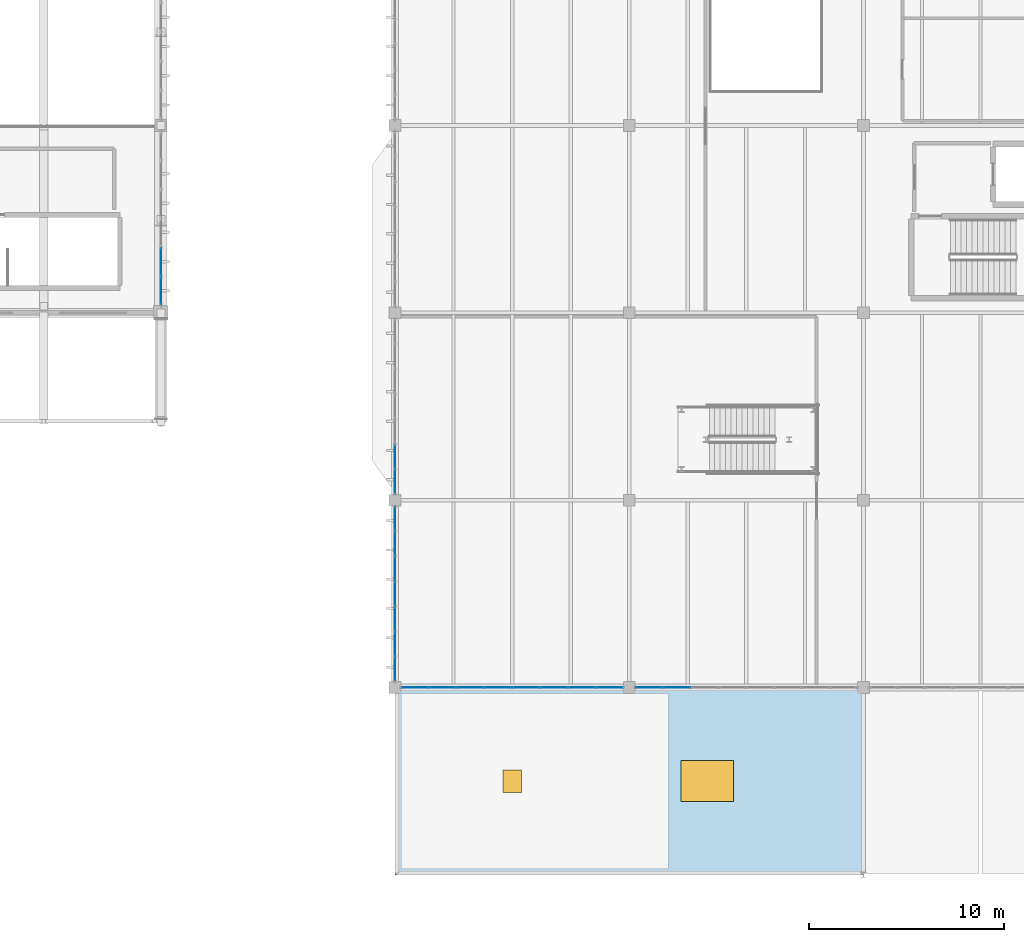
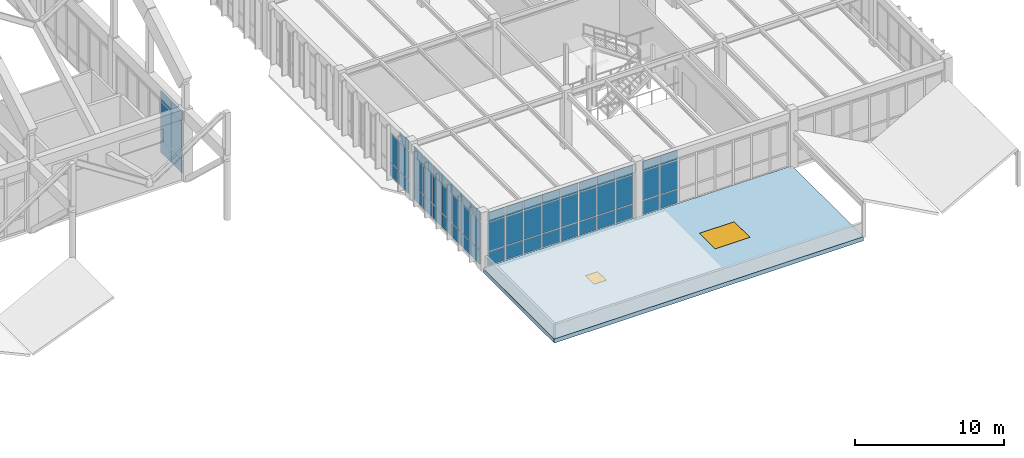
# One storey, part 199 of 236: 62 plates, 1 door, 1 slab, 1 window, 2 openings, 5 elements without a shape of their own.
"""IFC4 building model written with IfcOpenShell, lengths in metres."""

from ifc_helpers import new_model, si_unit, direction, frame, origin, origin_2d, place, context, subcontext, project, spatial, polyline, rectangle, outline, extrude, material, layer, layer_set, type_object, element, fill, aggregate, save


model = new_model("IFC4")

# Units and contexts
model_context = context("Model", 3, precision=1e-05, world=origin(), true_north=direction((0.0, 1.0)))
body_context = subcontext(model_context, "Body", "Model", "MODEL_VIEW")
ifc_project = project(units=[si_unit("LENGTHUNIT", "METRE"), si_unit("AREAUNIT", "SQUARE_METRE"), si_unit("VOLUMEUNIT", "CUBIC_METRE"), si_unit("PLANEANGLEUNIT", "RADIAN"), si_unit("MASSUNIT", "GRAM", prefix="KILO")], contexts=[model_context])

# Site, building, storey
site_placement = place(None, origin())
site = spatial("IfcSite", under=ifc_project, at=site_placement, CompositionType="ELEMENT")
building_placement = place(site_placement, origin())
building = spatial("IfcBuilding", under=site, at=building_placement, Name="Pandanus Reach Market Hall", CompositionType="ELEMENT")
storey_placement = place(building_placement, frame((0.0, 0.0, 5.39990234375)))
storey = spatial("IfcBuildingStorey", under=building, at=storey_placement, Name="L01", CompositionType="ELEMENT", Elevation=5.39990234375)

# Curtain wall, plates
ifc_material_1 = material(Name="Bronze anodised aluminium and low-E glass", Category="aluminium")
ifc_layer_1 = layer(ifc_material_1, 0.159912109375, Name="CW-27")
ifc_layer_set_1 = layer_set([ifc_layer_1], Name="Bronze anodised aluminium and low-E glass")
curtain_wall_type_1 = type_object("IfcCurtainWallType", Name="CW-27", PredefinedType="NOTDEFINED", material=ifc_layer_set_1)
curtain_wall_1_placement = place(storey_placement, origin())
curtain_wall_1 = element("IfcCurtainWall", 1, at=curtain_wall_1_placement, inside=storey, type_object=curtain_wall_type_1, Name="Glazed curtain wall CW-27 CW-0082", PredefinedType="NOTDEFINED")
ifc_material_2 = material(Name="Solar-control double glazing", Category="glass")
ifc_layer_2 = layer(ifc_material_2, 0.028076171875, Name="CW-P1")
ifc_layer_set_2 = layer_set([ifc_layer_2], Name="Solar-control double glazing")
plate_type_1 = type_object("IfcPlateType", Name="CW-P1", PredefinedType="CURTAIN_PANEL", material=ifc_layer_set_2)
plate_1_placement = place(storey_placement, frame((145.02880859375, 9.60009765625, 0.065185546875), z_axis=(0.0, 0.0, 1.0), x_axis=(1.0, 0.0, 0.0)))
plate_1 = element("IfcPlate", 2, at=plate_1_placement, type_object=plate_type_1, Name="CW-27 panel 1.1", PredefinedType="CURTAIN_PANEL", context=body_context, shape_type="SweptSolid", body=[
    extrude(rectangle(XDim=1.327392578125, YDim=0.028076171875, at=origin_2d()), origin(), (0.0, 0.0, 1.0), 1.1025390625),
])
plate_2_placement = place(storey_placement, frame((145.02880859375, 9.60009765625, 1.232666015625), z_axis=(0.0, 0.0, 1.0), x_axis=(1.0, 0.0, 0.0)))
plate_2 = element("IfcPlate", 3, at=plate_2_placement, type_object=plate_type_1, Name="CW-27 panel 1.2", PredefinedType="CURTAIN_PANEL", context=body_context, shape_type="SweptSolid", body=[
    extrude(rectangle(XDim=1.327392578125, YDim=0.028076171875, at=origin_2d()), origin(), (0.0, 0.0, 1.0), 2.3349609375),
])
plate_3_placement = place(storey_placement, frame((145.02880859375, 9.60009765625, 3.6328125), z_axis=(0.0, 0.0, 1.0), x_axis=(1.0, 0.0, 0.0)))
plate_3 = element("IfcPlate", 4, at=plate_3_placement, type_object=plate_type_1, Name="CW-27 panel 1.3", PredefinedType="CURTAIN_PANEL", context=body_context, shape_type="SweptSolid", body=[
    extrude(rectangle(XDim=1.327392578125, YDim=0.028076171875, at=origin_2d()), origin(), (0.0, 0.0, 1.0), 0.802490234375),
])
plate_4_placement = place(storey_placement, frame((146.4375, 9.60009765625, 0.065185546875), z_axis=(0.0, 0.0, 1.0), x_axis=(1.0, 0.0, 0.0)))
plate_4 = element("IfcPlate", 5, at=plate_4_placement, type_object=plate_type_1, Name="CW-27 panel 2.1", PredefinedType="CURTAIN_PANEL", context=body_context, shape_type="SweptSolid", body=[
    extrude(rectangle(XDim=1.360107421875, YDim=0.028076171875, at=origin_2d()), origin(), (0.0, 0.0, 1.0), 1.1025390625),
])
plate_5_placement = place(storey_placement, frame((146.4375, 9.60009765625, 1.232666015625), z_axis=(0.0, 0.0, 1.0), x_axis=(1.0, 0.0, 0.0)))
plate_5 = element("IfcPlate", 6, at=plate_5_placement, type_object=plate_type_1, Name="CW-27 panel 2.2", PredefinedType="CURTAIN_PANEL", context=body_context, shape_type="SweptSolid", body=[
    extrude(rectangle(XDim=1.360107421875, YDim=0.028076171875, at=origin_2d()), origin(), (0.0, 0.0, 1.0), 2.3349609375),
])
plate_6_placement = place(storey_placement, frame((146.4375, 9.60009765625, 3.6328125), z_axis=(0.0, 0.0, 1.0), x_axis=(1.0, 0.0, 0.0)))
plate_6 = element("IfcPlate", 7, at=plate_6_placement, type_object=plate_type_1, Name="CW-27 panel 2.3", PredefinedType="CURTAIN_PANEL", context=body_context, shape_type="SweptSolid", body=[
    extrude(rectangle(XDim=1.360107421875, YDim=0.028076171875, at=origin_2d()), origin(), (0.0, 0.0, 1.0), 0.802490234375),
])
plate_7_placement = place(storey_placement, frame((147.862548828125, 9.60009765625, 0.065185546875), z_axis=(0.0, 0.0, 1.0), x_axis=(1.0, 0.0, 0.0)))
plate_7 = element("IfcPlate", 8, at=plate_7_placement, type_object=plate_type_1, Name="CW-27 panel 3.1", PredefinedType="CURTAIN_PANEL", context=body_context, shape_type="SweptSolid", body=[
    extrude(rectangle(XDim=1.360107421875, YDim=0.028076171875, at=origin_2d()), origin(), (0.0, 0.0, 1.0), 1.1025390625),
])
plate_8_placement = place(storey_placement, frame((147.862548828125, 9.60009765625, 1.232666015625), z_axis=(0.0, 0.0, 1.0), x_axis=(1.0, 0.0, 0.0)))
plate_8 = element("IfcPlate", 9, at=plate_8_placement, type_object=plate_type_1, Name="CW-27 panel 3.2", PredefinedType="CURTAIN_PANEL", context=body_context, shape_type="SweptSolid", body=[
    extrude(rectangle(XDim=1.360107421875, YDim=0.028076171875, at=origin_2d()), origin(), (0.0, 0.0, 1.0), 2.3349609375),
])
plate_9_placement = place(storey_placement, frame((147.862548828125, 9.60009765625, 3.6328125), z_axis=(0.0, 0.0, 1.0), x_axis=(1.0, 0.0, 0.0)))
plate_9 = element("IfcPlate", 10, at=plate_9_placement, type_object=plate_type_1, Name="CW-27 panel 3.3", PredefinedType="CURTAIN_PANEL", context=body_context, shape_type="SweptSolid", body=[
    extrude(rectangle(XDim=1.360107421875, YDim=0.028076171875, at=origin_2d()), origin(), (0.0, 0.0, 1.0), 0.802490234375),
])
plate_10_placement = place(storey_placement, frame((149.28759765625, 9.60009765625, 0.065185546875), z_axis=(0.0, 0.0, 1.0), x_axis=(1.0, 0.0, 0.0)))
plate_10 = element("IfcPlate", 11, at=plate_10_placement, type_object=plate_type_1, Name="CW-27 panel 4.1", PredefinedType="CURTAIN_PANEL", context=body_context, shape_type="SweptSolid", body=[
    extrude(rectangle(XDim=1.360107421875, YDim=0.028076171875, at=origin_2d()), origin(), (0.0, 0.0, 1.0), 1.1025390625),
])
plate_11_placement = place(storey_placement, frame((149.28759765625, 9.60009765625, 1.232666015625), z_axis=(0.0, 0.0, 1.0), x_axis=(1.0, 0.0, 0.0)))
plate_11 = element("IfcPlate", 12, at=plate_11_placement, type_object=plate_type_1, Name="CW-27 panel 4.2", PredefinedType="CURTAIN_PANEL", context=body_context, shape_type="SweptSolid", body=[
    extrude(rectangle(XDim=1.360107421875, YDim=0.028076171875, at=origin_2d()), origin(), (0.0, 0.0, 1.0), 2.3349609375),
])
plate_12_placement = place(storey_placement, frame((149.28759765625, 9.60009765625, 3.6328125), z_axis=(0.0, 0.0, 1.0), x_axis=(1.0, 0.0, 0.0)))
plate_12 = element("IfcPlate", 13, at=plate_12_placement, type_object=plate_type_1, Name="CW-27 panel 4.3", PredefinedType="CURTAIN_PANEL", context=body_context, shape_type="SweptSolid", body=[
    extrude(rectangle(XDim=1.360107421875, YDim=0.028076171875, at=origin_2d()), origin(), (0.0, 0.0, 1.0), 0.802490234375),
])
plate_13_placement = place(storey_placement, frame((150.71240234375, 9.60009765625, 0.065185546875), z_axis=(0.0, 0.0, 1.0), x_axis=(1.0, 0.0, 0.0)))
plate_13 = element("IfcPlate", 14, at=plate_13_placement, type_object=plate_type_1, Name="CW-27 panel 5.1", PredefinedType="CURTAIN_PANEL", context=body_context, shape_type="SweptSolid", body=[
    extrude(rectangle(XDim=1.360107421875, YDim=0.028076171875, at=origin_2d()), origin(), (0.0, 0.0, 1.0), 1.1025390625),
])
plate_14_placement = place(storey_placement, frame((150.71240234375, 9.60009765625, 1.232666015625), z_axis=(0.0, 0.0, 1.0), x_axis=(1.0, 0.0, 0.0)))
plate_14 = element("IfcPlate", 15, at=plate_14_placement, type_object=plate_type_1, Name="CW-27 panel 5.2", PredefinedType="CURTAIN_PANEL", context=body_context, shape_type="SweptSolid", body=[
    extrude(rectangle(XDim=1.360107421875, YDim=0.028076171875, at=origin_2d()), origin(), (0.0, 0.0, 1.0), 2.3349609375),
])
plate_15_placement = place(storey_placement, frame((150.71240234375, 9.60009765625, 3.6328125), z_axis=(0.0, 0.0, 1.0), x_axis=(1.0, 0.0, 0.0)))
plate_15 = element("IfcPlate", 16, at=plate_15_placement, type_object=plate_type_1, Name="CW-27 panel 5.3", PredefinedType="CURTAIN_PANEL", context=body_context, shape_type="SweptSolid", body=[
    extrude(rectangle(XDim=1.360107421875, YDim=0.028076171875, at=origin_2d()), origin(), (0.0, 0.0, 1.0), 0.802490234375),
])
plate_16_placement = place(storey_placement, frame((152.137451171875, 9.60009765625, 0.065185546875), z_axis=(0.0, 0.0, 1.0), x_axis=(1.0, 0.0, 0.0)))
plate_16 = element("IfcPlate", 17, at=plate_16_placement, type_object=plate_type_1, Name="CW-27 panel 6.1", PredefinedType="CURTAIN_PANEL", context=body_context, shape_type="SweptSolid", body=[
    extrude(rectangle(XDim=1.360107421875, YDim=0.028076171875, at=origin_2d()), origin(), (0.0, 0.0, 1.0), 1.1025390625),
])
plate_17_placement = place(storey_placement, frame((152.137451171875, 9.60009765625, 1.232666015625), z_axis=(0.0, 0.0, 1.0), x_axis=(1.0, 0.0, 0.0)))
plate_17 = element("IfcPlate", 18, at=plate_17_placement, type_object=plate_type_1, Name="CW-27 panel 6.2", PredefinedType="CURTAIN_PANEL", context=body_context, shape_type="SweptSolid", body=[
    extrude(rectangle(XDim=1.360107421875, YDim=0.028076171875, at=origin_2d()), origin(), (0.0, 0.0, 1.0), 2.3349609375),
])
plate_18_placement = place(storey_placement, frame((152.137451171875, 9.60009765625, 3.6328125), z_axis=(0.0, 0.0, 1.0), x_axis=(1.0, 0.0, 0.0)))
plate_18 = element("IfcPlate", 19, at=plate_18_placement, type_object=plate_type_1, Name="CW-27 panel 6.3", PredefinedType="CURTAIN_PANEL", context=body_context, shape_type="SweptSolid", body=[
    extrude(rectangle(XDim=1.360107421875, YDim=0.028076171875, at=origin_2d()), origin(), (0.0, 0.0, 1.0), 0.802490234375),
])
plate_19_placement = place(storey_placement, frame((153.5625, 9.60009765625, 0.065185546875), z_axis=(0.0, 0.0, 1.0), x_axis=(1.0, 0.0, 0.0)))
plate_19 = element("IfcPlate", 20, at=plate_19_placement, type_object=plate_type_1, Name="CW-27 panel 7.1", PredefinedType="CURTAIN_PANEL", context=body_context, shape_type="SweptSolid", body=[
    extrude(rectangle(XDim=1.360107421875, YDim=0.028076171875, at=origin_2d()), origin(), (0.0, 0.0, 1.0), 1.1025390625),
])
plate_20_placement = place(storey_placement, frame((153.5625, 9.60009765625, 1.232666015625), z_axis=(0.0, 0.0, 1.0), x_axis=(1.0, 0.0, 0.0)))
plate_20 = element("IfcPlate", 21, at=plate_20_placement, type_object=plate_type_1, Name="CW-27 panel 7.2", PredefinedType="CURTAIN_PANEL", context=body_context, shape_type="SweptSolid", body=[
    extrude(rectangle(XDim=1.360107421875, YDim=0.028076171875, at=origin_2d()), origin(), (0.0, 0.0, 1.0), 2.3349609375),
])
plate_21_placement = place(storey_placement, frame((153.5625, 9.60009765625, 3.6328125), z_axis=(0.0, 0.0, 1.0), x_axis=(1.0, 0.0, 0.0)))
plate_21 = element("IfcPlate", 22, at=plate_21_placement, type_object=plate_type_1, Name="CW-27 panel 7.3", PredefinedType="CURTAIN_PANEL", context=body_context, shape_type="SweptSolid", body=[
    extrude(rectangle(XDim=1.360107421875, YDim=0.028076171875, at=origin_2d()), origin(), (0.0, 0.0, 1.0), 0.802490234375),
])
plate_22_placement = place(storey_placement, frame((154.97119140625, 9.60009765625, 0.065185546875), z_axis=(0.0, 0.0, 1.0), x_axis=(1.0, 0.0, 0.0)))
plate_22 = element("IfcPlate", 23, at=plate_22_placement, type_object=plate_type_1, Name="CW-27 panel 8.1", PredefinedType="CURTAIN_PANEL", context=body_context, shape_type="SweptSolid", body=[
    extrude(rectangle(XDim=1.327392578125, YDim=0.028076171875, at=origin_2d()), origin(), (0.0, 0.0, 1.0), 1.1025390625),
])
plate_23_placement = place(storey_placement, frame((154.97119140625, 9.60009765625, 1.232666015625), z_axis=(0.0, 0.0, 1.0), x_axis=(1.0, 0.0, 0.0)))
plate_23 = element("IfcPlate", 24, at=plate_23_placement, type_object=plate_type_1, Name="CW-27 panel 8.2", PredefinedType="CURTAIN_PANEL", context=body_context, shape_type="SweptSolid", body=[
    extrude(rectangle(XDim=1.327392578125, YDim=0.028076171875, at=origin_2d()), origin(), (0.0, 0.0, 1.0), 2.3349609375),
])
plate_24_placement = place(storey_placement, frame((154.97119140625, 9.60009765625, 3.6328125), z_axis=(0.0, 0.0, 1.0), x_axis=(1.0, 0.0, 0.0)))
plate_24 = element("IfcPlate", 25, at=plate_24_placement, type_object=plate_type_1, Name="CW-27 panel 8.3", PredefinedType="CURTAIN_PANEL", context=body_context, shape_type="SweptSolid", body=[
    extrude(rectangle(XDim=1.327392578125, YDim=0.028076171875, at=origin_2d()), origin(), (0.0, 0.0, 1.0), 0.802490234375),
])
aggregate(curtain_wall_1, [plate_1, plate_2, plate_3, plate_4, plate_5, plate_6, plate_7, plate_8, plate_9, plate_10, plate_11, plate_12, plate_13, plate_14, plate_15, plate_16, plate_17, plate_18, plate_19, plate_20, plate_21, plate_22, plate_23, plate_24])

curtain_wall_2_placement = place(storey_placement, origin())
curtain_wall_2 = element("IfcCurtainWall", 26, at=curtain_wall_2_placement, inside=storey, type_object=curtain_wall_type_1, Name="Glazed curtain wall CW-27 CW-0083", PredefinedType="NOTDEFINED")
plate_25_placement = place(storey_placement, frame((157.02880859375, 9.60009765625, 0.065185546875), z_axis=(0.0, 0.0, 1.0), x_axis=(1.0, 0.0, 0.0)))
plate_25 = element("IfcPlate", 27, at=plate_25_placement, type_object=plate_type_1, Name="CW-27 panel 1.1", PredefinedType="CURTAIN_PANEL", context=body_context, shape_type="SweptSolid", body=[
    extrude(rectangle(XDim=1.327392578125, YDim=0.028076171875, at=origin_2d()), origin(), (0.0, 0.0, 1.0), 1.1025390625),
])
plate_26_placement = place(storey_placement, frame((157.02880859375, 9.60009765625, 1.232666015625), z_axis=(0.0, 0.0, 1.0), x_axis=(1.0, 0.0, 0.0)))
plate_26 = element("IfcPlate", 28, at=plate_26_placement, type_object=plate_type_1, Name="CW-27 panel 1.2", PredefinedType="CURTAIN_PANEL", context=body_context, shape_type="SweptSolid", body=[
    extrude(rectangle(XDim=1.327392578125, YDim=0.028076171875, at=origin_2d()), origin(), (0.0, 0.0, 1.0), 2.3349609375),
])
plate_27_placement = place(storey_placement, frame((157.02880859375, 9.60009765625, 3.6328125), z_axis=(0.0, 0.0, 1.0), x_axis=(1.0, 0.0, 0.0)))
plate_27 = element("IfcPlate", 29, at=plate_27_placement, type_object=plate_type_1, Name="CW-27 panel 1.3", PredefinedType="CURTAIN_PANEL", context=body_context, shape_type="SweptSolid", body=[
    extrude(rectangle(XDim=1.327392578125, YDim=0.028076171875, at=origin_2d()), origin(), (0.0, 0.0, 1.0), 0.802490234375),
])
plate_28_placement = place(storey_placement, frame((158.4375, 9.60009765625, 0.065185546875), z_axis=(0.0, 0.0, 1.0), x_axis=(1.0, 0.0, 0.0)))
plate_28 = element("IfcPlate", 30, at=plate_28_placement, type_object=plate_type_1, Name="CW-27 panel 2.1", PredefinedType="CURTAIN_PANEL", context=body_context, shape_type="SweptSolid", body=[
    extrude(rectangle(XDim=1.360107421875, YDim=0.028076171875, at=origin_2d()), origin(), (0.0, 0.0, 1.0), 1.1025390625),
])
plate_29_placement = place(storey_placement, frame((158.4375, 9.60009765625, 1.232666015625), z_axis=(0.0, 0.0, 1.0), x_axis=(1.0, 0.0, 0.0)))
plate_29 = element("IfcPlate", 31, at=plate_29_placement, type_object=plate_type_1, Name="CW-27 panel 2.2", PredefinedType="CURTAIN_PANEL", context=body_context, shape_type="SweptSolid", body=[
    extrude(rectangle(XDim=1.360107421875, YDim=0.028076171875, at=origin_2d()), origin(), (0.0, 0.0, 1.0), 2.3349609375),
])
plate_30_placement = place(storey_placement, frame((158.4375, 9.60009765625, 3.6328125), z_axis=(0.0, 0.0, 1.0), x_axis=(1.0, 0.0, 0.0)))
plate_30 = element("IfcPlate", 32, at=plate_30_placement, type_object=plate_type_1, Name="CW-27 panel 2.3", PredefinedType="CURTAIN_PANEL", context=body_context, shape_type="SweptSolid", body=[
    extrude(rectangle(XDim=1.360107421875, YDim=0.028076171875, at=origin_2d()), origin(), (0.0, 0.0, 1.0), 0.802490234375),
])
aggregate(curtain_wall_2, [plate_25, plate_26, plate_27, plate_28, plate_29, plate_30])

ifc_layer_3 = layer(ifc_material_1, 0.159912109375, Name="CW-29")
ifc_layer_set_3 = layer_set([ifc_layer_3], Name="Bronze anodised aluminium and low-E glass")
curtain_wall_type_2 = type_object("IfcCurtainWallType", Name="CW-29", PredefinedType="NOTDEFINED", material=ifc_layer_set_3)
curtain_wall_3_placement = place(storey_placement, origin())
curtain_wall_3 = element("IfcCurtainWall", 33, at=curtain_wall_3_placement, inside=storey, type_object=curtain_wall_type_2, Name="Glazed curtain wall CW-29 CW-0091", PredefinedType="NOTDEFINED")
plate_31_placement = place(storey_placement, frame((144.0, 10.55908203125, 0.065185546875), z_axis=(0.0, 0.0, 1.0), x_axis=(0.0, 1.0, 0.0)))
plate_31 = element("IfcPlate", 34, at=plate_31_placement, type_object=plate_type_1, Name="CW-29 panel 1.1", PredefinedType="CURTAIN_PANEL", context=body_context, shape_type="SweptSolid", body=[
    extrude(rectangle(XDim=1.188232421875, YDim=0.028076171875, at=origin_2d()), origin(), (0.0, 0.0, 1.0), 1.1025390625),
])
plate_32_placement = place(storey_placement, frame((144.0, 10.55908203125, 1.232666015625), z_axis=(0.0, 0.0, 1.0), x_axis=(0.0, 1.0, 0.0)))
plate_32 = element("IfcPlate", 35, at=plate_32_placement, type_object=plate_type_1, Name="CW-29 panel 1.2", PredefinedType="CURTAIN_PANEL", context=body_context, shape_type="SweptSolid", body=[
    extrude(rectangle(XDim=1.188232421875, YDim=0.028076171875, at=origin_2d()), origin(), (0.0, 0.0, 1.0), 2.3349609375),
])
plate_33_placement = place(storey_placement, frame((144.0, 10.55908203125, 3.6328125), z_axis=(0.0, 0.0, 1.0), x_axis=(0.0, 1.0, 0.0)))
plate_33 = element("IfcPlate", 36, at=plate_33_placement, type_object=plate_type_1, Name="CW-29 panel 1.3", PredefinedType="CURTAIN_PANEL", context=body_context, shape_type="SweptSolid", body=[
    extrude(rectangle(XDim=1.188232421875, YDim=0.028076171875, at=origin_2d()), origin(), (0.0, 0.0, 1.0), 0.802490234375),
])
plate_34_placement = place(storey_placement, frame((144.0, 11.82861328125, 0.065185546875), z_axis=(0.0, 0.0, 1.0), x_axis=(0.0, 1.0, 0.0)))
plate_34 = element("IfcPlate", 37, at=plate_34_placement, type_object=plate_type_1, Name="CW-29 panel 2.1", PredefinedType="CURTAIN_PANEL", context=body_context, shape_type="SweptSolid", body=[
    extrude(rectangle(XDim=1.220703125, YDim=0.028076171875, at=origin_2d()), origin(), (0.0, 0.0, 1.0), 1.1025390625),
])
plate_35_placement = place(storey_placement, frame((144.0, 11.82861328125, 1.232666015625), z_axis=(0.0, 0.0, 1.0), x_axis=(0.0, 1.0, 0.0)))
plate_35 = element("IfcPlate", 38, at=plate_35_placement, type_object=plate_type_1, Name="CW-29 panel 2.2", PredefinedType="CURTAIN_PANEL", context=body_context, shape_type="SweptSolid", body=[
    extrude(rectangle(XDim=1.220703125, YDim=0.028076171875, at=origin_2d()), origin(), (0.0, 0.0, 1.0), 2.3349609375),
])
plate_36_placement = place(storey_placement, frame((144.0, 11.82861328125, 3.6328125), z_axis=(0.0, 0.0, 1.0), x_axis=(0.0, 1.0, 0.0)))
plate_36 = element("IfcPlate", 39, at=plate_36_placement, type_object=plate_type_1, Name="CW-29 panel 2.3", PredefinedType="CURTAIN_PANEL", context=body_context, shape_type="SweptSolid", body=[
    extrude(rectangle(XDim=1.220703125, YDim=0.028076171875, at=origin_2d()), origin(), (0.0, 0.0, 1.0), 0.802490234375),
])
plate_37_placement = place(storey_placement, frame((144.0, 13.1142578125, 0.065185546875), z_axis=(0.0, 0.0, 1.0), x_axis=(0.0, 1.0, 0.0)))
plate_37 = element("IfcPlate", 40, at=plate_37_placement, type_object=plate_type_1, Name="CW-29 panel 3.1", PredefinedType="CURTAIN_PANEL", context=body_context, shape_type="SweptSolid", body=[
    extrude(rectangle(XDim=1.220703125, YDim=0.028076171875, at=origin_2d()), origin(), (0.0, 0.0, 1.0), 1.1025390625),
])
plate_38_placement = place(storey_placement, frame((144.0, 13.1142578125, 1.232666015625), z_axis=(0.0, 0.0, 1.0), x_axis=(0.0, 1.0, 0.0)))
plate_38 = element("IfcPlate", 41, at=plate_38_placement, type_object=plate_type_1, Name="CW-29 panel 3.2", PredefinedType="CURTAIN_PANEL", context=body_context, shape_type="SweptSolid", body=[
    extrude(rectangle(XDim=1.220703125, YDim=0.028076171875, at=origin_2d()), origin(), (0.0, 0.0, 1.0), 2.3349609375),
])
plate_39_placement = place(storey_placement, frame((144.0, 13.1142578125, 3.6328125), z_axis=(0.0, 0.0, 1.0), x_axis=(0.0, 1.0, 0.0)))
plate_39 = element("IfcPlate", 42, at=plate_39_placement, type_object=plate_type_1, Name="CW-29 panel 3.3", PredefinedType="CURTAIN_PANEL", context=body_context, shape_type="SweptSolid", body=[
    extrude(rectangle(XDim=1.220703125, YDim=0.028076171875, at=origin_2d()), origin(), (0.0, 0.0, 1.0), 0.802490234375),
])
plate_40_placement = place(storey_placement, frame((144.0, 14.39990234375, 0.065185546875), z_axis=(0.0, 0.0, 1.0), x_axis=(0.0, 1.0, 0.0)))
plate_40 = element("IfcPlate", 43, at=plate_40_placement, type_object=plate_type_1, Name="CW-29 panel 4.1", PredefinedType="CURTAIN_PANEL", context=body_context, shape_type="SweptSolid", body=[
    extrude(rectangle(XDim=1.220703125, YDim=0.028076171875, at=origin_2d()), origin(), (0.0, 0.0, 1.0), 1.1025390625),
])
plate_41_placement = place(storey_placement, frame((144.0, 14.39990234375, 1.232666015625), z_axis=(0.0, 0.0, 1.0), x_axis=(0.0, 1.0, 0.0)))
plate_41 = element("IfcPlate", 44, at=plate_41_placement, type_object=plate_type_1, Name="CW-29 panel 4.2", PredefinedType="CURTAIN_PANEL", context=body_context, shape_type="SweptSolid", body=[
    extrude(rectangle(XDim=1.220703125, YDim=0.028076171875, at=origin_2d()), origin(), (0.0, 0.0, 1.0), 2.3349609375),
])
plate_42_placement = place(storey_placement, frame((144.0, 14.39990234375, 3.6328125), z_axis=(0.0, 0.0, 1.0), x_axis=(0.0, 1.0, 0.0)))
plate_42 = element("IfcPlate", 45, at=plate_42_placement, type_object=plate_type_1, Name="CW-29 panel 4.3", PredefinedType="CURTAIN_PANEL", context=body_context, shape_type="SweptSolid", body=[
    extrude(rectangle(XDim=1.220703125, YDim=0.028076171875, at=origin_2d()), origin(), (0.0, 0.0, 1.0), 0.802490234375),
])
plate_43_placement = place(storey_placement, frame((144.0, 15.685791015625, 0.065185546875), z_axis=(0.0, 0.0, 1.0), x_axis=(0.0, 1.0, 0.0)))
plate_43 = element("IfcPlate", 46, at=plate_43_placement, type_object=plate_type_1, Name="CW-29 panel 5.1", PredefinedType="CURTAIN_PANEL", context=body_context, shape_type="SweptSolid", body=[
    extrude(rectangle(XDim=1.220703125, YDim=0.028076171875, at=origin_2d()), origin(), (0.0, 0.0, 1.0), 1.1025390625),
])
plate_44_placement = place(storey_placement, frame((144.0, 15.685791015625, 1.232666015625), z_axis=(0.0, 0.0, 1.0), x_axis=(0.0, 1.0, 0.0)))
plate_44 = element("IfcPlate", 47, at=plate_44_placement, type_object=plate_type_1, Name="CW-29 panel 5.2", PredefinedType="CURTAIN_PANEL", context=body_context, shape_type="SweptSolid", body=[
    extrude(rectangle(XDim=1.220703125, YDim=0.028076171875, at=origin_2d()), origin(), (0.0, 0.0, 1.0), 2.3349609375),
])
plate_45_placement = place(storey_placement, frame((144.0, 15.685791015625, 3.6328125), z_axis=(0.0, 0.0, 1.0), x_axis=(0.0, 1.0, 0.0)))
plate_45 = element("IfcPlate", 48, at=plate_45_placement, type_object=plate_type_1, Name="CW-29 panel 5.3", PredefinedType="CURTAIN_PANEL", context=body_context, shape_type="SweptSolid", body=[
    extrude(rectangle(XDim=1.220703125, YDim=0.028076171875, at=origin_2d()), origin(), (0.0, 0.0, 1.0), 0.802490234375),
])
plate_46_placement = place(storey_placement, frame((144.0, 16.971435546875, 0.065185546875), z_axis=(0.0, 0.0, 1.0), x_axis=(0.0, 1.0, 0.0)))
plate_46 = element("IfcPlate", 49, at=plate_46_placement, type_object=plate_type_1, Name="CW-29 panel 6.1", PredefinedType="CURTAIN_PANEL", context=body_context, shape_type="SweptSolid", body=[
    extrude(rectangle(XDim=1.220703125, YDim=0.028076171875, at=origin_2d()), origin(), (0.0, 0.0, 1.0), 1.1025390625),
])
plate_47_placement = place(storey_placement, frame((144.0, 16.971435546875, 1.232666015625), z_axis=(0.0, 0.0, 1.0), x_axis=(0.0, 1.0, 0.0)))
plate_47 = element("IfcPlate", 50, at=plate_47_placement, type_object=plate_type_1, Name="CW-29 panel 6.2", PredefinedType="CURTAIN_PANEL", context=body_context, shape_type="SweptSolid", body=[
    extrude(rectangle(XDim=1.220703125, YDim=0.028076171875, at=origin_2d()), origin(), (0.0, 0.0, 1.0), 2.3349609375),
])
plate_48_placement = place(storey_placement, frame((144.0, 16.971435546875, 3.6328125), z_axis=(0.0, 0.0, 1.0), x_axis=(0.0, 1.0, 0.0)))
plate_48 = element("IfcPlate", 51, at=plate_48_placement, type_object=plate_type_1, Name="CW-29 panel 6.3", PredefinedType="CURTAIN_PANEL", context=body_context, shape_type="SweptSolid", body=[
    extrude(rectangle(XDim=1.220703125, YDim=0.028076171875, at=origin_2d()), origin(), (0.0, 0.0, 1.0), 0.802490234375),
])
plate_49_placement = place(storey_placement, frame((144.0, 18.240966796875, 0.065185546875), z_axis=(0.0, 0.0, 1.0), x_axis=(0.0, 1.0, 0.0)))
plate_49 = element("IfcPlate", 52, at=plate_49_placement, type_object=plate_type_1, Name="CW-29 panel 7.1", PredefinedType="CURTAIN_PANEL", context=body_context, shape_type="SweptSolid", body=[
    extrude(rectangle(XDim=1.188232421875, YDim=0.028076171875, at=origin_2d()), origin(), (0.0, 0.0, 1.0), 1.1025390625),
])
plate_50_placement = place(storey_placement, frame((144.0, 18.240966796875, 1.232666015625), z_axis=(0.0, 0.0, 1.0), x_axis=(0.0, 1.0, 0.0)))
plate_50 = element("IfcPlate", 53, at=plate_50_placement, type_object=plate_type_1, Name="CW-29 panel 7.2", PredefinedType="CURTAIN_PANEL", context=body_context, shape_type="SweptSolid", body=[
    extrude(rectangle(XDim=1.188232421875, YDim=0.028076171875, at=origin_2d()), origin(), (0.0, 0.0, 1.0), 2.3349609375),
])
plate_51_placement = place(storey_placement, frame((144.0, 18.240966796875, 3.6328125), z_axis=(0.0, 0.0, 1.0), x_axis=(0.0, 1.0, 0.0)))
plate_51 = element("IfcPlate", 54, at=plate_51_placement, type_object=plate_type_1, Name="CW-29 panel 7.3", PredefinedType="CURTAIN_PANEL", context=body_context, shape_type="SweptSolid", body=[
    extrude(rectangle(XDim=1.188232421875, YDim=0.028076171875, at=origin_2d()), origin(), (0.0, 0.0, 1.0), 0.802490234375),
])
aggregate(curtain_wall_3, [plate_31, plate_32, plate_33, plate_34, plate_35, plate_36, plate_37, plate_38, plate_39, plate_40, plate_41, plate_42, plate_43, plate_44, plate_45, plate_46, plate_47, plate_48, plate_49, plate_50, plate_51])

curtain_wall_4_placement = place(storey_placement, origin())
curtain_wall_4 = element("IfcCurtainWall", 55, at=curtain_wall_4_placement, inside=storey, type_object=curtain_wall_type_2, Name="Glazed curtain wall CW-29 CW-0092", PredefinedType="NOTDEFINED")
plate_52_placement = place(storey_placement, frame((144.0, 20.1591796875, 0.065185546875), z_axis=(0.0, 0.0, 1.0), x_axis=(0.0, 1.0, 0.0)))
plate_52 = element("IfcPlate", 56, at=plate_52_placement, type_object=plate_type_1, Name="CW-29 panel 1.1", PredefinedType="CURTAIN_PANEL", context=body_context, shape_type="SweptSolid", body=[
    extrude(rectangle(XDim=1.188232421875, YDim=0.028076171875, at=origin_2d()), origin(), (0.0, 0.0, 1.0), 1.1025390625),
])
plate_53_placement = place(storey_placement, frame((144.0, 20.1591796875, 1.232666015625), z_axis=(0.0, 0.0, 1.0), x_axis=(0.0, 1.0, 0.0)))
plate_53 = element("IfcPlate", 57, at=plate_53_placement, type_object=plate_type_1, Name="CW-29 panel 1.2", PredefinedType="CURTAIN_PANEL", context=body_context, shape_type="SweptSolid", body=[
    extrude(rectangle(XDim=1.188232421875, YDim=0.028076171875, at=origin_2d()), origin(), (0.0, 0.0, 1.0), 2.3349609375),
])
plate_54_placement = place(storey_placement, frame((144.0, 20.1591796875, 3.6328125), z_axis=(0.0, 0.0, 1.0), x_axis=(0.0, 1.0, 0.0)))
plate_54 = element("IfcPlate", 58, at=plate_54_placement, type_object=plate_type_1, Name="CW-29 panel 1.3", PredefinedType="CURTAIN_PANEL", context=body_context, shape_type="SweptSolid", body=[
    extrude(rectangle(XDim=1.188232421875, YDim=0.028076171875, at=origin_2d()), origin(), (0.0, 0.0, 1.0), 0.802490234375),
])
plate_55_placement = place(storey_placement, frame((144.0, 21.428466796875, 0.065185546875), z_axis=(0.0, 0.0, 1.0), x_axis=(0.0, 1.0, 0.0)))
plate_55 = element("IfcPlate", 59, at=plate_55_placement, type_object=plate_type_1, Name="CW-29 panel 2.1", PredefinedType="CURTAIN_PANEL", context=body_context, shape_type="SweptSolid", body=[
    extrude(rectangle(XDim=1.220703125, YDim=0.028076171875, at=origin_2d()), origin(), (0.0, 0.0, 1.0), 1.1025390625),
])
plate_56_placement = place(storey_placement, frame((144.0, 21.428466796875, 1.232666015625), z_axis=(0.0, 0.0, 1.0), x_axis=(0.0, 1.0, 0.0)))
plate_56 = element("IfcPlate", 60, at=plate_56_placement, type_object=plate_type_1, Name="CW-29 panel 2.2", PredefinedType="CURTAIN_PANEL", context=body_context, shape_type="SweptSolid", body=[
    extrude(rectangle(XDim=1.220703125, YDim=0.028076171875, at=origin_2d()), origin(), (0.0, 0.0, 1.0), 2.3349609375),
])
aggregate(curtain_wall_4, [plate_52, plate_53, plate_54, plate_55, plate_56])

ifc_layer_4 = layer(ifc_material_1, 0.199951171875, Name="CW-04")
ifc_layer_set_4 = layer_set([ifc_layer_4], Name="Bronze anodised aluminium and low-E glass")
curtain_wall_type_3 = type_object("IfcCurtainWallType", Name="CW-04", PredefinedType="NOTDEFINED", material=ifc_layer_set_4)
curtain_wall_5_placement = place(storey_placement, origin())
curtain_wall_5 = element("IfcCurtainWall", 61, at=curtain_wall_5_placement, inside=storey, type_object=curtain_wall_type_3, Name="Glazed curtain wall CW-04 CW-0021", PredefinedType="NOTDEFINED")
ifc_material_3 = material(Name="Acoustic laminated solar double glazing", Category="glass")
ifc_layer_5 = layer(ifc_material_3, 0.031982421875, Name="CW-P2")
ifc_layer_set_5 = layer_set([ifc_layer_5], Name="Acoustic laminated solar double glazing")
plate_type_2 = type_object("IfcPlateType", Name="CW-P2", PredefinedType="CURTAIN_PANEL", material=ifc_layer_set_5)
plate_57_placement = place(storey_placement, frame((132.0, 29.9375, 0.0751953125), z_axis=(0.0, 0.0, 1.0), x_axis=(0.0, 1.0, 0.0)))
plate_57 = element("IfcPlate", 62, at=plate_57_placement, type_object=plate_type_2, Name="CW-04 panel 1.1", PredefinedType="CURTAIN_PANEL", context=body_context, shape_type="SweptSolid", body=[
    extrude(rectangle(XDim=1.375, YDim=0.031982421875, at=origin_2d()), origin(), (0.0, 0.0, 1.0), 1.08740234375),
])
plate_58_placement = place(storey_placement, frame((132.0, 29.9375, 1.237548828125), z_axis=(0.0, 0.0, 1.0), x_axis=(0.0, 1.0, 0.0)))
plate_58 = element("IfcPlate", 63, at=plate_58_placement, type_object=plate_type_2, Name="CW-04 panel 1.2", PredefinedType="CURTAIN_PANEL", context=body_context, shape_type="SweptSolid", body=[
    extrude(rectangle(XDim=1.375, YDim=0.031982421875, at=origin_2d()), origin(), (0.0, 0.0, 1.0), 3.02490234375),
])
plate_59_placement = place(storey_placement, frame((132.0, 29.9375, 4.337646484375), z_axis=(0.0, 0.0, 1.0), x_axis=(0.0, 1.0, 0.0)))
plate_59 = element("IfcPlate", 64, at=plate_59_placement, type_object=plate_type_2, Name="CW-04 panel 1.3", PredefinedType="CURTAIN_PANEL", context=body_context, shape_type="SweptSolid", body=[
    extrude(rectangle(XDim=1.375, YDim=0.031982421875, at=origin_2d()), origin(), (0.0, 0.0, 1.0), 0.78759765625),
])
plate_60_placement = place(storey_placement, frame((132.0, 31.40625, 0.0751953125), z_axis=(0.0, 0.0, 1.0), x_axis=(0.0, 1.0, 0.0)))
plate_60 = element("IfcPlate", 65, at=plate_60_placement, type_object=plate_type_2, Name="CW-04 panel 2.1", PredefinedType="CURTAIN_PANEL", context=body_context, shape_type="SweptSolid", body=[
    extrude(rectangle(XDim=1.41259765625, YDim=0.031982421875, at=origin_2d()), origin(), (0.0, 0.0, 1.0), 1.08740234375),
])
plate_61_placement = place(storey_placement, frame((132.0, 31.40625, 1.237548828125), z_axis=(0.0, 0.0, 1.0), x_axis=(0.0, 1.0, 0.0)))
plate_61 = element("IfcPlate", 66, at=plate_61_placement, type_object=plate_type_2, Name="CW-04 panel 2.2", PredefinedType="CURTAIN_PANEL", context=body_context, shape_type="SweptSolid", body=[
    extrude(rectangle(XDim=1.41259765625, YDim=0.031982421875, at=origin_2d()), origin(), (0.0, 0.0, 1.0), 3.02490234375),
])
plate_62_placement = place(storey_placement, frame((132.0, 31.40625, 4.337646484375), z_axis=(0.0, 0.0, 1.0), x_axis=(0.0, 1.0, 0.0)))
plate_62 = element("IfcPlate", 67, at=plate_62_placement, type_object=plate_type_2, Name="CW-04 panel 2.3", PredefinedType="CURTAIN_PANEL", context=body_context, shape_type="SweptSolid", body=[
    extrude(rectangle(XDim=1.41259765625, YDim=0.031982421875, at=origin_2d()), origin(), (0.0, 0.0, 1.0), 0.78759765625),
])
aggregate(curtain_wall_5, [plate_57, plate_58, plate_59, plate_60, plate_61, plate_62])

# Slab, openings, window, door
ifc_material_4 = material(Name="Concrete N40 (40 MPa)", Category="concrete")
ifc_layer_6 = layer(ifc_material_4, 0.340087890625, Name="RF-FLT-340")
ifc_layer_set_6 = layer_set([ifc_layer_6], Name="Concrete N40 (40 MPa)")
slab_type = type_object("IfcSlabType", Name="RF-FLT-340", PredefinedType="ROOF", material=ifc_layer_set_6)
slab_placement = place(storey_placement, frame((0.0, 0.0, -0.33984375)))
slab = element("IfcSlab", 68, at=slab_placement, inside=storey, type_object=slab_type, Name="Concrete roof slab RF-L01-V4S", PredefinedType="ROOF", context=body_context, shape_type="SweptSolid", body=[
    extrude(outline(polyline([(144.0, 0.0), (168.0, 0.0), (168.0, 9.60009765625), (144.0, 9.60009765625), (144.0, 0.0)]), holes=[polyline([(158.64990234375, 3.75), (161.35009765625, 3.75), (161.35009765625, 5.85009765625), (158.64990234375, 5.85009765625), (158.64990234375, 3.75)]), polyline([(149.52490234375, 4.22509765625), (150.47509765625, 4.22509765625), (150.47509765625, 5.375), (149.52490234375, 5.375), (149.52490234375, 4.22509765625)])]), origin(), (0.0, 0.0, 1.0), 0.33984375),
])
opening_1_placement = place(slab_placement, frame((160.0, 4.800048828125, -0.014892578125)))
opening_1 = element("IfcOpeningElement", 69, at=opening_1_placement, cuts=slab, Name="Opening SK-04", PredefinedType="OPENING", context=body_context, shape_type="SweptSolid", body=[
    extrude(rectangle(XDim=2.699951171875, YDim=2.10009765625, at=origin_2d()), origin(), (0.0, 0.0, 1.0), 0.369873046875),
])
opening_2_placement = place(slab_placement, frame((150.0, 4.800048828125, -0.014892578125)))
opening_2 = element("IfcOpeningElement", 70, at=opening_2_placement, cuts=slab, Name="Opening TRP-095", PredefinedType="OPENING", context=body_context, shape_type="SweptSolid", body=[
    extrude(rectangle(XDim=0.949951171875, YDim=1.14990234375, at=origin_2d()), origin(), (0.0, 0.0, 1.0), 0.369873046875),
])
window_type = type_object("IfcWindowType", Name="SK-04", PartitioningType="SINGLE_PANEL", PredefinedType="SKYLIGHT", material=ifc_material_2)
window_placement = place(slab_placement, frame((160.0, 4.800048828125, 0.289794921875)))
window = element("IfcWindow", 71, at=window_placement, inside=storey, type_object=window_type, Name="Roof skylight SK-04 7", OverallHeight=2.10009765625, OverallWidth=2.699951171875, PartitioningType="SINGLE_PANEL", PredefinedType="SKYLIGHT", context=body_context, shape_type="SweptSolid", body=[
    extrude(rectangle(XDim=2.699951171875, YDim=2.10009765625, at=origin_2d()), origin(), (0.0, 0.0, 1.0), 0.050048828125),
])
fill(opening_1, window)
ifc_material_5 = material(Name="Insulated aluminium roof trapdoor", Category="aluminium")
door_type = type_object("IfcDoorType", Name="TRP-095", OperationType="SINGLE_SWING_LEFT", PredefinedType="TRAPDOOR", material=ifc_material_5)
door_placement = place(slab_placement, frame((150.0, 4.800048828125, 0.289794921875)))
door = element("IfcDoor", 72, at=door_placement, inside=storey, type_object=door_type, Name="Roof access trapdoor TRP-095 1", OperationType="SINGLE_SWING_LEFT", OverallHeight=1.14990234375, OverallWidth=0.949951171875, PredefinedType="TRAPDOOR", context=body_context, shape_type="SweptSolid", body=[
    extrude(rectangle(XDim=0.949951171875, YDim=1.14990234375, at=origin_2d()), origin(), (0.0, 0.0, 1.0), 0.050048828125),
])
fill(opening_2, door)

save(model, "model.ifc")
